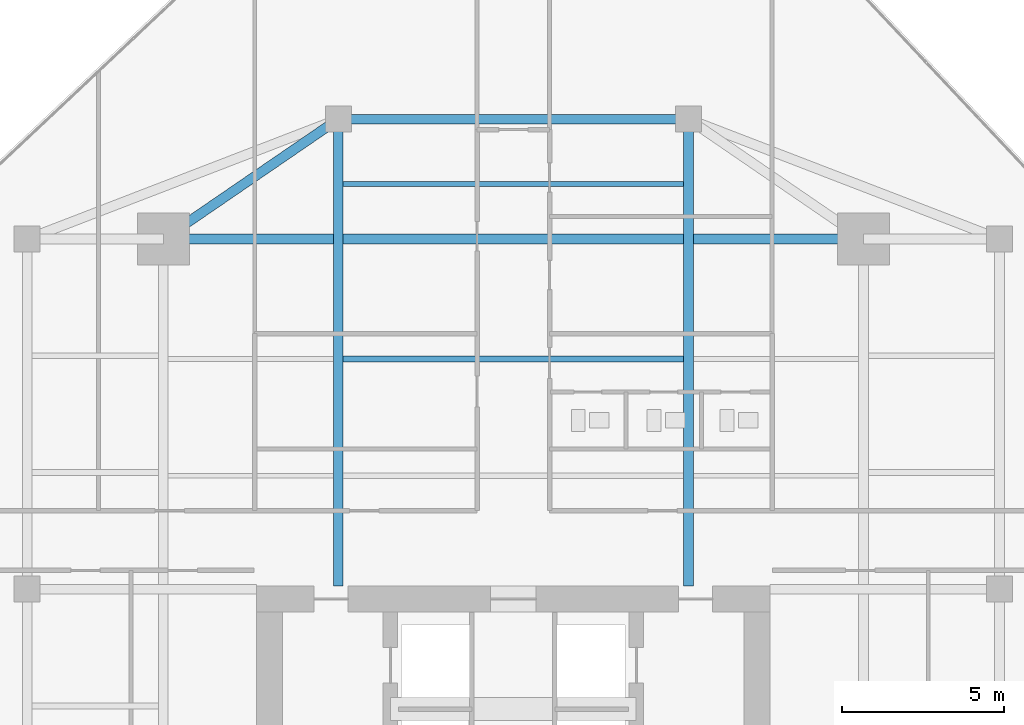
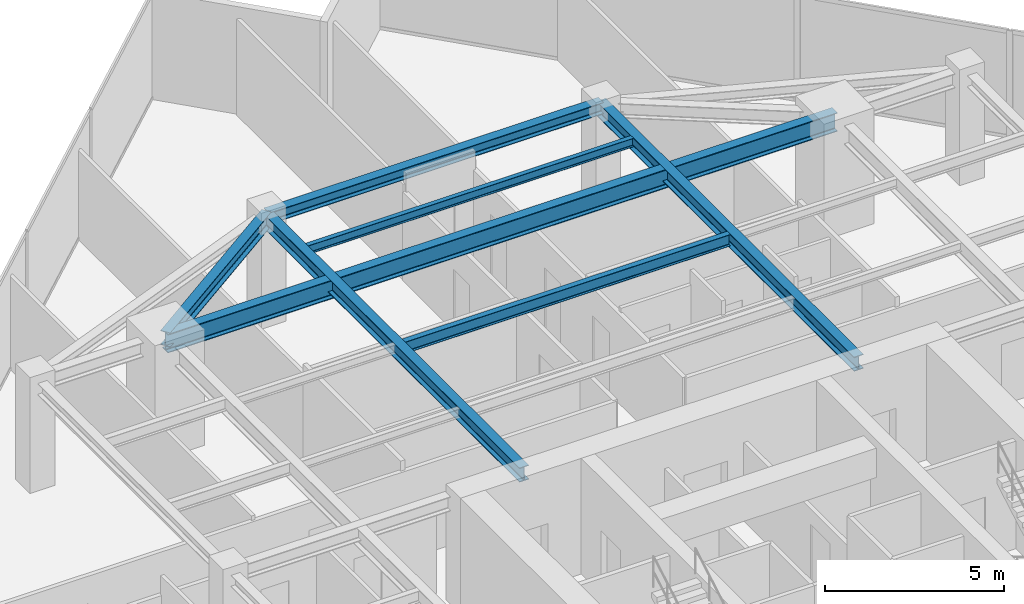
# One storey, part 15 of 25: 7 beams.
"""IFC4 building model written with IfcOpenShell, lengths in metres."""

import ifcopenshell
import ifcopenshell.guid

model = None  # the IFC model being written
_history = None  # IfcOwnerHistory: only IFC2X3 demands one
_inside = {}  # id of a spatial element -> (the spatial element, [elements in it])
_under = {}  # id of a project, library or spatial element -> (it, [spatial elements below it])
_declared = {}  # id of a project -> (the project, [libraries it declares])
_typed = {}  # id of a type object -> (the type object, [elements of that type])
_made_of = {}  # id of a material, layer set ... -> (it, [elements and type objects made of it])


def new_model(schema):
    """Start an empty IFC model of exactly this schema.

    Asked for "IFC4X3", IfcOpenShell would pick the latest addendum, in which some entities
    have other attributes; the version numbers below select the first issue.
    IFC2X3 requires an IfcOwnerHistory on every rooted entity: one is made here for all.
    """
    global model, _history
    if schema == "IFC4X3":
        model = ifcopenshell.file(schema_version=(4, 3, 0, 0))
    else:
        model = ifcopenshell.file(schema=schema)
    _inside.clear()
    _under.clear()
    _declared.clear()
    _typed.clear()
    _made_of.clear()
    _history = None
    if model.schema == "IFC2X3":
        org = make("IfcOrganization", Name="unknown")
        user = make(
            "IfcPersonAndOrganization",
            ThePerson=make("IfcPerson", FamilyName="unknown"),
            TheOrganization=org,
        )
        app = make(
            "IfcApplication",
            ApplicationDeveloper=org,
            Version="unknown",
            ApplicationFullName="unknown",
            ApplicationIdentifier="unknown",
        )
        _history = make(
            "IfcOwnerHistory",
            OwningUser=user,
            OwningApplication=app,
            ChangeAction="ADDED",
            CreationDate=0,
        )
    return model


def make(cls, **values):
    """One entity of the class cls with the attributes given. An attribute that is None is left unset."""
    return model.create_entity(
        cls, **{name: value for name, value in values.items() if value is not None}
    )


def rooted(cls, **values):
    """An entity with a GlobalId (a new one), such as an element, a storey or a relation."""
    return make(cls, GlobalId=ifcopenshell.guid.new(), OwnerHistory=_history, **values)


def si_unit(unit_type, name, prefix=None):
    """IfcSIUnit, for example si_unit("LENGTHUNIT", "METRE", prefix="MILLI")."""
    return make("IfcSIUnit", UnitType=unit_type, Prefix=prefix, Name=name)


def assignment(units):
    """IfcUnitAssignment: the units of a project."""
    return None if units is None else make("IfcUnitAssignment", Units=units)


def point(xyz):
    """IfcCartesianPoint."""
    return None if xyz is None else make("IfcCartesianPoint", Coordinates=xyz)


def direction(xyz):
    """IfcDirection."""
    return None if xyz is None else make("IfcDirection", DirectionRatios=xyz)


def frame(location, z_axis=None, x_axis=None):
    """IfcAxis2Placement3D, a coordinate frame: its origin and axes. An axis left out is left unset."""
    return make(
        "IfcAxis2Placement3D",
        Location=point(location),
        Axis=direction(z_axis),
        RefDirection=direction(x_axis),
    )


def frame_2d(location, x_axis=None):
    """IfcAxis2Placement2D, a coordinate frame in the plane: its origin and x axis."""
    return make(
        "IfcAxis2Placement2D", Location=point(location), RefDirection=direction(x_axis)
    )


def origin():
    """The frame at (0, 0, 0) with its axes left unset."""
    return frame((0.0, 0.0, 0.0))


def origin_2d():
    """The frame at (0, 0) in the plane with its x axis left unset."""
    return frame_2d((0.0, 0.0))


def place(relative_to, where):
    """IfcLocalPlacement: puts the frame where relative to a parent placement (None: the world)."""
    return make(
        "IfcLocalPlacement", PlacementRelTo=relative_to, RelativePlacement=where
    )


def context(
    kind, dimensions, precision=None, world=None, true_north=None, identifier=None
):
    """IfcGeometricRepresentationContext, for example the 3D "Model" context."""
    return make(
        "IfcGeometricRepresentationContext",
        ContextIdentifier=identifier,
        ContextType=kind,
        CoordinateSpaceDimension=dimensions,
        Precision=precision,
        WorldCoordinateSystem=world,
        TrueNorth=true_north,
    )


def subcontext(parent, identifier, kind, view, scale=None):
    """IfcGeometricRepresentationSubContext, for example "Body" below "Model"."""
    return make(
        "IfcGeometricRepresentationSubContext",
        ContextIdentifier=identifier,
        ContextType=kind,
        ParentContext=parent,
        TargetScale=scale,
        TargetView=view,
    )


def project(units=None, contexts=None):
    """IfcProject with its units and contexts."""
    return rooted(
        "IfcProject",
        Name="project",
        RepresentationContexts=contexts,
        UnitsInContext=assignment(units),
    )


def spatial(cls, under=None, at=None, **own):
    """A site, building, storey or space (cls), placed at a placement, below another one or the project."""
    s = rooted(cls, ObjectPlacement=at, **own)
    if under is not None:
        _under.setdefault(under.id(), (under, []))[1].append(s)
    return s


def profile(cls, at=None, kind="AREA", **sizes):
    """A parametric profile (cls). Its sizes go by their IFC names, for example OverallWidth=200.0."""
    return make(cls, ProfileType=kind, Position=at, **sizes)


def i_section(**sizes):
    """IfcIShapeProfileDef."""
    return profile("IfcIShapeProfileDef", **sizes)


def extrude(swept, where, along, depth):
    """IfcExtrudedAreaSolid: the profile swept, set in the frame where, extruded along a direction by depth."""
    return make(
        "IfcExtrudedAreaSolid",
        SweptArea=swept,
        Position=where,
        ExtrudedDirection=direction(along),
        Depth=depth,
    )


def shape(context_of_items, identifier, shape_type, items):
    """IfcShapeRepresentation: the items that make up one representation, for example the "Body"."""
    return make(
        "IfcShapeRepresentation",
        ContextOfItems=context_of_items,
        RepresentationIdentifier=identifier,
        RepresentationType=shape_type,
        Items=items,
    )


def source(mapping_origin, context_of_items, identifier, shape_type, items):
    """IfcRepresentationMap: a shape defined once, which mapped items show again and again."""
    return make(
        "IfcRepresentationMap",
        MappingOrigin=mapping_origin,
        MappedRepresentation=shape(context_of_items, identifier, shape_type, items),
    )


def transform(
    local_origin,
    x_axis=None,
    y_axis=None,
    z_axis=None,
    scale=None,
    scale2=None,
    scale3=None,
    uniform=True,
):
    """IfcCartesianTransformationOperator3D, or its non-uniform kind. x_axis, y_axis, z_axis: its Axis1, 2, 3."""
    if uniform:
        return make(
            "IfcCartesianTransformationOperator3D",
            Axis1=direction(x_axis),
            Axis2=direction(y_axis),
            LocalOrigin=point(local_origin),
            Scale=scale,
            Axis3=direction(z_axis),
        )
    return make(
        "IfcCartesianTransformationOperator3DnonUniform",
        Axis1=direction(x_axis),
        Axis2=direction(y_axis),
        LocalOrigin=point(local_origin),
        Scale=scale,
        Axis3=direction(z_axis),
        Scale2=scale2,
        Scale3=scale3,
    )


def mapped(mapping_source, mapping_target):
    """IfcMappedItem: shows the shape of a source again, moved by a transform."""
    return make(
        "IfcMappedItem", MappingSource=mapping_source, MappingTarget=mapping_target
    )


def material(Name=None, Category=None):
    """IfcMaterial."""
    return make("IfcMaterial", Name=Name, Category=Category)


def material_profile(
    of_material, cross_section, Name=None, Category=None, Priority=None
):
    """IfcMaterialProfile: a cross section and its material."""
    return make(
        "IfcMaterialProfile",
        Name=Name,
        Material=of_material,
        Profile=cross_section,
        Priority=Priority,
        Category=Category,
    )


def profile_set(profiles, Name=None, composite=None):
    """IfcMaterialProfileSet."""
    return make(
        "IfcMaterialProfileSet",
        Name=Name,
        MaterialProfiles=profiles,
        CompositeProfile=composite,
    )


def made_of(thing, what):
    """Note that an element or type object is made of a material, layer set ...; save() writes the relation."""
    if what is not None:
        _made_of.setdefault(what.id(), (what, []))[1].append(thing)
    return thing


def type_object(cls, material=None, **own):
    """A type object (cls), such as IfcWallType, which elements share."""
    return made_of(rooted(cls, **own), material)


def type_shapes(of_type, sources):
    """Give a type object the sources (RepresentationMaps) that its elements show as mapped items."""
    of_type.RepresentationMaps = sources


def element(
    cls,
    number,
    at=None,
    inside=None,
    cuts=None,
    type_object=None,
    material=None,
    context=None,
    identifier="Body",
    shape_type=None,
    held_by="IfcProductDefinitionShape",
    body=None,
    shapes=None,
    **own,
):
    """One element of the class cls, such as IfcWall. Its Tag is "e" and its number.

    at: its placement. inside: the storey or other place that contains it. cuts: it is an
    opening in that element (IfcRelVoidsElement). A single representation is given by context,
    identifier, shape_type and body (its items); several are given by shapes. held_by: the class
    of the entity that holds the representations. save() writes the other relations.
    """
    e = rooted(cls, Tag="e%d" % number, ObjectPlacement=at, **own)
    if body is not None:
        shapes = [shape(context, identifier, shape_type, body)]
    if shapes is not None:
        e.Representation = make(held_by, Representations=shapes)
    if inside is not None:
        _inside.setdefault(inside.id(), (inside, []))[1].append(e)
    if cuts is not None:
        rooted(
            "IfcRelVoidsElement", RelatingBuildingElement=cuts, RelatedOpeningElement=e
        )
    if type_object is not None:
        _typed.setdefault(type_object.id(), (type_object, []))[1].append(e)
    return made_of(e, material)


def aggregate(whole, parts):
    """IfcRelAggregates: a whole, such as a stair, and the parts it consists of."""
    return rooted("IfcRelAggregates", RelatingObject=whole, RelatedObjects=parts)


def save(model, path):
    """Write the relations noted so far, then the file.

    IfcRelAggregates (storeys below a building ...), IfcRelContainedInSpatialStructure (elements
    in a storey), IfcRelDefinesByType, IfcRelAssociatesMaterial and IfcRelDeclares: one each for
    every whole, place, type object, material and project.
    """
    for whole, parts in _under.values():
        aggregate(whole, parts)
    for where, things in _inside.values():
        rooted(
            "IfcRelContainedInSpatialStructure",
            RelatedElements=things,
            RelatingStructure=where,
        )
    for kind, things in _typed.values():
        rooted("IfcRelDefinesByType", RelatedObjects=things, RelatingType=kind)
    for what, things in _made_of.values():
        rooted("IfcRelAssociatesMaterial", RelatedObjects=things, RelatingMaterial=what)
    for by, libraries in _declared.values():
        rooted("IfcRelDeclares", RelatingContext=by, RelatedDefinitions=libraries)
    model.write(path)


model = new_model("IFC4")

# Units and contexts
model_context = context("Model", 3, precision=1e-05, world=origin(), true_north=direction((0.0, 1.0)))
body_context = subcontext(model_context, "Body", "Model", "MODEL_VIEW")
ifc_project = project(units=[si_unit("LENGTHUNIT", "METRE"), si_unit("AREAUNIT", "SQUARE_METRE"), si_unit("VOLUMEUNIT", "CUBIC_METRE"), si_unit("PLANEANGLEUNIT", "RADIAN"), si_unit("MASSUNIT", "GRAM", prefix="KILO")], contexts=[model_context])

# Site, building, storey
site_placement = place(None, origin())
site = spatial("IfcSite", under=ifc_project, at=site_placement, CompositionType="ELEMENT")
building_placement = place(site_placement, origin())
building = spatial("IfcBuilding", under=site, at=building_placement, Name="Krantzveldt Concourse Tower", CompositionType="ELEMENT")
storey_placement = place(building_placement, frame((0.0, 0.0, 238.89990234375)))
storey = spatial("IfcBuildingStorey", under=building, at=storey_placement, Name="L58", CompositionType="ELEMENT", Elevation=238.89990234375)

# Beams
ifc_material = material(Name="Steel S355JR", Category="steel")
ifc_material_profile_1 = material_profile(ifc_material, i_section(OverallWidth=0.300048828125, OverallDepth=0.639892578125, WebThickness=0.013427734375, FlangeThickness=0.02587890625, FilletRadius=0.027099609375, at=origin_2d()), Name="Steel S355JR", Category="steel")
ifc_profile_set_1 = profile_set([ifc_material_profile_1], Name="Steel S355JR - HEA 650")
beam_type_1 = type_object("IfcBeamType", Name="BM-B-HEA650", PredefinedType="BEAM", material=ifc_profile_set_1)
shared_shape_1 = source(origin(), body_context, "Body", "SweptSolid", [
    extrude(i_section(OverallWidth=0.300048828125, OverallDepth=0.639892578125, WebThickness=0.013427734375, FlangeThickness=0.02587890625, FilletRadius=0.027099609375, at=origin_2d()), origin(), (0.0, 0.0, 1.0), 21.60009765625),
])
type_shapes(beam_type_1, [shared_shape_1])
beam_1_placement = place(storey_placement, frame((25.199951171875, 37.5, 3.35009765625), z_axis=(1.0, 0.0, 0.0), x_axis=(0.0, 1.0, 0.0)))
element("IfcBeam", 1, at=beam_1_placement, inside=storey, type_object=beam_type_1, Name="L58 Tower Girder BG-MN", PredefinedType="BEAM", context=body_context, shape_type="MappedRepresentation", body=[
    mapped(shared_shape_1, transform((0.0, 0.0, 0.0), x_axis=(1.0, 0.0, 0.0), y_axis=(0.0, 1.0, 0.0), z_axis=(0.0, 0.0, 1.0), scale=1.0)),
])
ifc_material_profile_2 = material_profile(ifc_material, i_section(OverallWidth=0.179931640625, OverallDepth=0.39990234375, WebThickness=0.008544921875, FlangeThickness=0.013427734375, FilletRadius=0.02099609375, at=origin_2d()), Name="Steel S355JR", Category="steel")
ifc_profile_set_2 = profile_set([ifc_material_profile_2], Name="Steel S355JR - IPE 400")
beam_type_2 = type_object("IfcBeamType", Name="BM-J-IPE400", PredefinedType="JOIST", material=ifc_profile_set_2)
shared_shape_2 = source(origin(), body_context, "Body", "SweptSolid", [
    extrude(i_section(OverallWidth=0.179931640625, OverallDepth=0.39990234375, WebThickness=0.008544921875, FlangeThickness=0.013427734375, FilletRadius=0.02099609375, at=origin_2d()), origin(), (0.0, 0.0, 1.0), 10.5),
])
type_shapes(beam_type_2, [shared_shape_2])
beam_2_placement = place(storey_placement, frame((30.75, 33.800048828125, 3.47021484375), z_axis=(1.0, 0.0, 0.0), x_axis=(0.0, 1.0, 0.0)))
element("IfcBeam", 2, at=beam_2_placement, inside=storey, type_object=beam_type_2, Name="L58 Secondary Floor Joist JN-C2", PredefinedType="JOIST", context=body_context, shape_type="MappedRepresentation", body=[
    mapped(shared_shape_2, transform((0.0, 0.0, 0.0), x_axis=(1.0, 0.0, 0.0), y_axis=(0.0, 1.0, 0.0), z_axis=(0.0, 0.0, 1.0), scale=1.0)),
])
ifc_material_profile_3 = material_profile(ifc_material, i_section(OverallWidth=0.300048828125, OverallDepth=0.389892578125, WebThickness=0.010986328125, FlangeThickness=0.01904296875, FilletRadius=0.027099609375, at=origin_2d()), Name="Steel S355JR", Category="steel")
ifc_profile_set_3 = profile_set([ifc_material_profile_3], Name="Steel S355JR - HEA 400")
beam_type_3 = type_object("IfcBeamType", Name="BM-SP-HEA400", PredefinedType="SPANDREL", material=ifc_profile_set_3)
shared_shape_3 = source(origin(), body_context, "Body", "SweptSolid", [
    extrude(i_section(OverallWidth=0.300048828125, OverallDepth=0.389892578125, WebThickness=0.010986328125, FlangeThickness=0.01904296875, FilletRadius=0.027099609375, at=origin_2d()), origin(), (0.0, 0.0, 1.0), 10.7998046875),
])
type_shapes(beam_type_3, [shared_shape_3])
beam_3_placement = place(storey_placement, frame((30.60009765625, 41.199951171875, 3.47509765625), z_axis=(1.0, 0.0, 0.0), x_axis=(0.0, 1.0, 0.0)))
element("IfcBeam", 3, at=beam_3_placement, inside=storey, type_object=beam_type_3, Name="L58 Tower Girder SP-R04", PredefinedType="SPANDREL", context=body_context, shape_type="MappedRepresentation", body=[
    mapped(shared_shape_3, transform((0.0, 0.0, 0.0), x_axis=(1.0, 0.0, 0.0), y_axis=(0.0, 1.0, 0.0), z_axis=(0.0, 0.0, 1.0), scale=1.0)),
])
ifc_material_profile_4 = material_profile(ifc_material, i_section(OverallWidth=0.300048828125, OverallDepth=0.489990234375, WebThickness=0.011962890625, FlangeThickness=0.02294921875, FilletRadius=0.027099609375, at=origin_2d()), Name="Steel S355JR", Category="steel")
ifc_profile_set_4 = profile_set([ifc_material_profile_4], Name="Steel S355JR - HEA 500")
beam_type_4 = type_object("IfcBeamType", Name="BM-B-HEA500", PredefinedType="BEAM", material=ifc_profile_set_4)
shared_shape_4 = source(origin(), body_context, "Body", "SweptSolid", [
    extrude(i_section(OverallWidth=0.300048828125, OverallDepth=0.489990234375, WebThickness=0.011962890625, FlangeThickness=0.02294921875, FilletRadius=0.027099609375, at=origin_2d()), origin(), (0.0, 0.0, 1.0), 14.39990234375),
])
for number, where, z_axis, x_axis, name in (
    (4, (30.60009765625, 26.800048828125, 3.425048828125), (0.0, 1.0, 0.0), (-1.0, 0.0, 0.0), "L58 Tower Girder BG-CNW"),
    (5, (41.39990234375, 26.800048828125, 3.425048828125), (0.0, 1.0, 0.0), (-1.0, 0.0, 0.0), "L58 Tower Girder BG-CNE"),
):
    element("IfcBeam", number, at=place(storey_placement, frame(where, z_axis=z_axis, x_axis=x_axis)), inside=storey, type_object=beam_type_4, Name=name, PredefinedType="BEAM", context=body_context, shape_type="MappedRepresentation", body=[
        mapped(shared_shape_4, transform((0.0, 0.0, 0.0), x_axis=(1.0, 0.0, 0.0), y_axis=(0.0, 1.0, 0.0), z_axis=(0.0, 0.0, 1.0), scale=1.0)),
    ])
shared_shape_5 = source(origin(), body_context, "Body", "SweptSolid", [
    extrude(i_section(OverallWidth=0.300048828125, OverallDepth=0.489990234375, WebThickness=0.011962890625, FlangeThickness=0.02294921875, FilletRadius=0.027099609375, at=origin_2d()), origin(), (0.0, 0.0, 1.0), 6.546142578125),
])
type_shapes(beam_type_4, [shared_shape_4, shared_shape_5])
beam_4_placement = place(storey_placement, frame((25.199951171875, 37.5, 3.425048828125), z_axis=(0.824942999484, 0.565215930068, 0.0), x_axis=(-0.565215930068, 0.824942999484, 0.0)))
element("IfcBeam", 6, at=beam_4_placement, inside=storey, type_object=beam_type_4, Name="L58 Tower Girder BR-RL4", PredefinedType="BEAM", context=body_context, shape_type="MappedRepresentation", body=[
    mapped(shared_shape_5, transform((0.0, 0.0, 0.0), x_axis=(1.0, 0.0, 0.0), y_axis=(0.0, 1.0, 0.0), z_axis=(0.0, 0.0, 1.0), scale=1.0)),
])
ifc_material_profile_5 = material_profile(ifc_material, i_section(OverallWidth=0.14990234375, OverallDepth=0.300048828125, WebThickness=0.007080078125, FlangeThickness=0.0107421875, FilletRadius=0.014892578125, at=origin_2d()), Name="Steel S355JR", Category="steel")
ifc_profile_set_5 = profile_set([ifc_material_profile_5], Name="Steel S355JR - IPE 300")
beam_type_5 = type_object("IfcBeamType", Name="BM-J-IPE300", PredefinedType="JOIST", material=ifc_profile_set_5)
shared_shape_6 = source(origin(), body_context, "Body", "SweptSolid", [
    extrude(i_section(OverallWidth=0.14990234375, OverallDepth=0.300048828125, WebThickness=0.007080078125, FlangeThickness=0.0107421875, FilletRadius=0.014892578125, at=origin_2d()), origin(), (0.0, 0.0, 1.0), 10.5),
])
type_shapes(beam_type_5, [shared_shape_6])
beam_5_placement = place(storey_placement, frame((30.75, 39.199951171875, 3.52001953125), z_axis=(1.0, 0.0, 0.0), x_axis=(0.0, 1.0, 0.0)))
element("IfcBeam", 7, at=beam_5_placement, inside=storey, type_object=beam_type_5, Name="L58 Secondary Floor Joist JN-C3", PredefinedType="JOIST", context=body_context, shape_type="MappedRepresentation", body=[
    mapped(shared_shape_6, transform((0.0, 0.0, 0.0), x_axis=(1.0, 0.0, 0.0), y_axis=(0.0, 1.0, 0.0), z_axis=(0.0, 0.0, 1.0), scale=1.0)),
])

save(model, "model.ifc")
